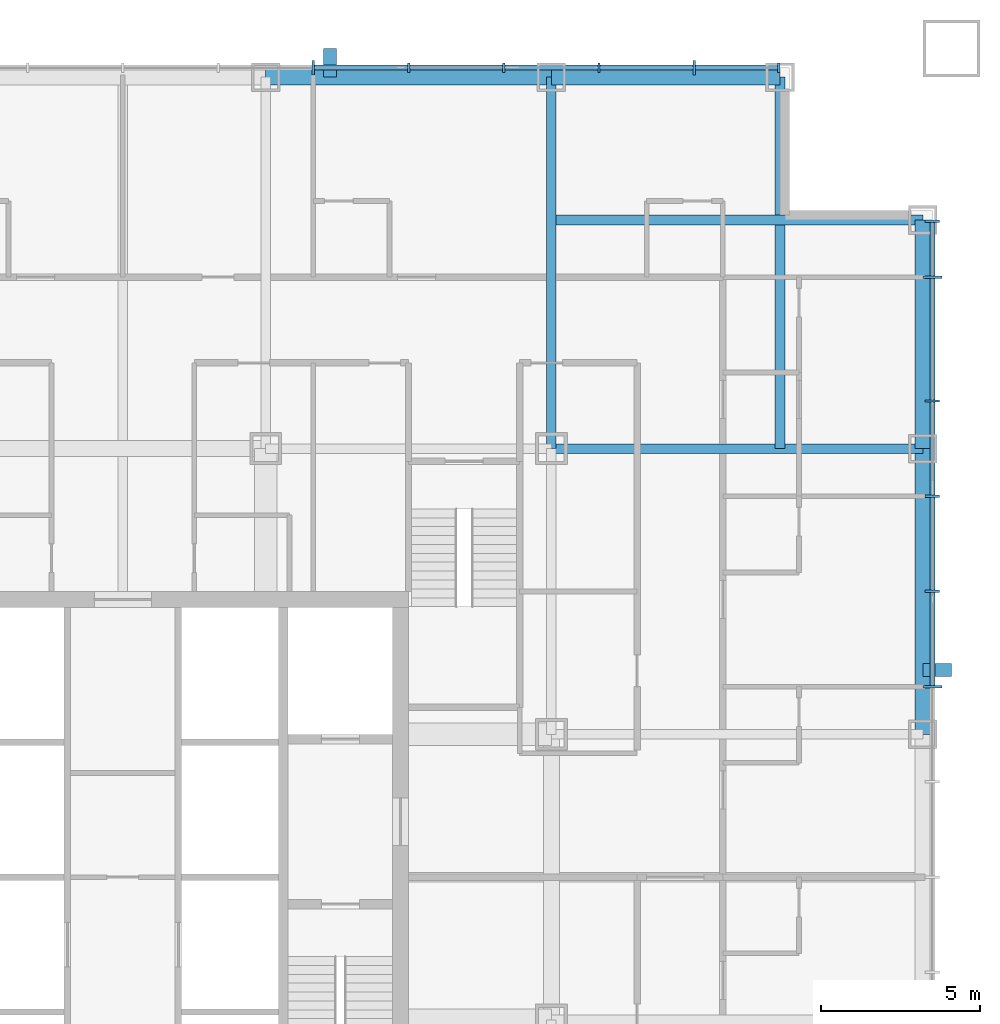
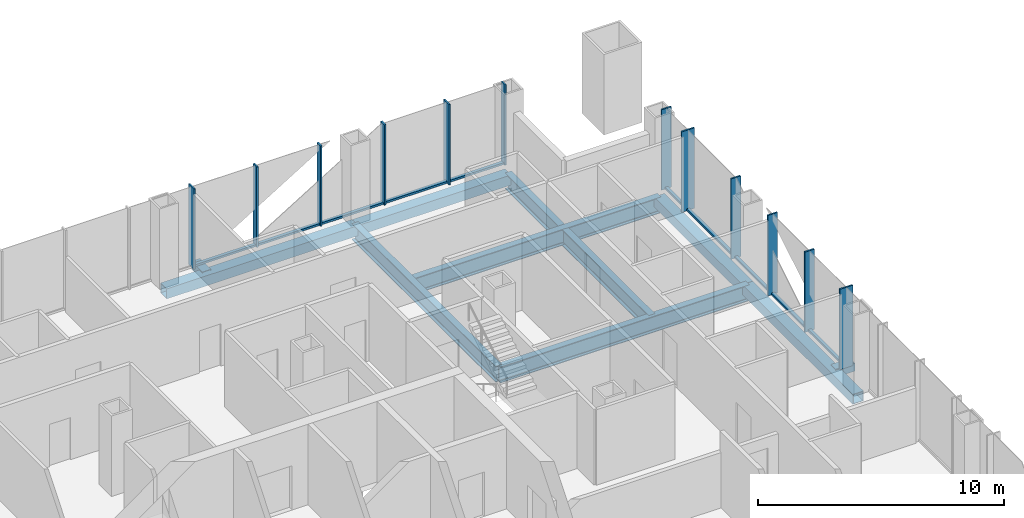
# One storey, part 5 of 17: 24 members, 8 beams, 2 elements without a shape of their own.
"""IFC4 building model written with IfcOpenShell, lengths in metres."""

import ifcopenshell
import ifcopenshell.guid

model = None  # the IFC model being written
_history = None  # IfcOwnerHistory: only IFC2X3 demands one
_inside = {}  # id of a spatial element -> (the spatial element, [elements in it])
_under = {}  # id of a project, library or spatial element -> (it, [spatial elements below it])
_declared = {}  # id of a project -> (the project, [libraries it declares])
_typed = {}  # id of a type object -> (the type object, [elements of that type])
_made_of = {}  # id of a material, layer set ... -> (it, [elements and type objects made of it])


def new_model(schema):
    """Start an empty IFC model of exactly this schema.

    Asked for "IFC4X3", IfcOpenShell would pick the latest addendum, in which some entities
    have other attributes; the version numbers below select the first issue.
    IFC2X3 requires an IfcOwnerHistory on every rooted entity: one is made here for all.
    """
    global model, _history
    if schema == "IFC4X3":
        model = ifcopenshell.file(schema_version=(4, 3, 0, 0))
    else:
        model = ifcopenshell.file(schema=schema)
    _inside.clear()
    _under.clear()
    _declared.clear()
    _typed.clear()
    _made_of.clear()
    _history = None
    if model.schema == "IFC2X3":
        org = make("IfcOrganization", Name="unknown")
        user = make(
            "IfcPersonAndOrganization",
            ThePerson=make("IfcPerson", FamilyName="unknown"),
            TheOrganization=org,
        )
        app = make(
            "IfcApplication",
            ApplicationDeveloper=org,
            Version="unknown",
            ApplicationFullName="unknown",
            ApplicationIdentifier="unknown",
        )
        _history = make(
            "IfcOwnerHistory",
            OwningUser=user,
            OwningApplication=app,
            ChangeAction="ADDED",
            CreationDate=0,
        )
    return model


def make(cls, **values):
    """One entity of the class cls with the attributes given. An attribute that is None is left unset."""
    return model.create_entity(
        cls, **{name: value for name, value in values.items() if value is not None}
    )


def rooted(cls, **values):
    """An entity with a GlobalId (a new one), such as an element, a storey or a relation."""
    return make(cls, GlobalId=ifcopenshell.guid.new(), OwnerHistory=_history, **values)


def si_unit(unit_type, name, prefix=None):
    """IfcSIUnit, for example si_unit("LENGTHUNIT", "METRE", prefix="MILLI")."""
    return make("IfcSIUnit", UnitType=unit_type, Prefix=prefix, Name=name)


def assignment(units):
    """IfcUnitAssignment: the units of a project."""
    return None if units is None else make("IfcUnitAssignment", Units=units)


def point(xyz):
    """IfcCartesianPoint."""
    return None if xyz is None else make("IfcCartesianPoint", Coordinates=xyz)


def direction(xyz):
    """IfcDirection."""
    return None if xyz is None else make("IfcDirection", DirectionRatios=xyz)


def frame(location, z_axis=None, x_axis=None):
    """IfcAxis2Placement3D, a coordinate frame: its origin and axes. An axis left out is left unset."""
    return make(
        "IfcAxis2Placement3D",
        Location=point(location),
        Axis=direction(z_axis),
        RefDirection=direction(x_axis),
    )


def frame_2d(location, x_axis=None):
    """IfcAxis2Placement2D, a coordinate frame in the plane: its origin and x axis."""
    return make(
        "IfcAxis2Placement2D", Location=point(location), RefDirection=direction(x_axis)
    )


def origin():
    """The frame at (0, 0, 0) with its axes left unset."""
    return frame((0.0, 0.0, 0.0))


def origin_2d():
    """The frame at (0, 0) in the plane with its x axis left unset."""
    return frame_2d((0.0, 0.0))


def place(relative_to, where):
    """IfcLocalPlacement: puts the frame where relative to a parent placement (None: the world)."""
    return make(
        "IfcLocalPlacement", PlacementRelTo=relative_to, RelativePlacement=where
    )


def context(
    kind, dimensions, precision=None, world=None, true_north=None, identifier=None
):
    """IfcGeometricRepresentationContext, for example the 3D "Model" context."""
    return make(
        "IfcGeometricRepresentationContext",
        ContextIdentifier=identifier,
        ContextType=kind,
        CoordinateSpaceDimension=dimensions,
        Precision=precision,
        WorldCoordinateSystem=world,
        TrueNorth=true_north,
    )


def subcontext(parent, identifier, kind, view, scale=None):
    """IfcGeometricRepresentationSubContext, for example "Body" below "Model"."""
    return make(
        "IfcGeometricRepresentationSubContext",
        ContextIdentifier=identifier,
        ContextType=kind,
        ParentContext=parent,
        TargetScale=scale,
        TargetView=view,
    )


def project(units=None, contexts=None):
    """IfcProject with its units and contexts."""
    return rooted(
        "IfcProject",
        Name="project",
        RepresentationContexts=contexts,
        UnitsInContext=assignment(units),
    )


def spatial(cls, under=None, at=None, **own):
    """A site, building, storey or space (cls), placed at a placement, below another one or the project."""
    s = rooted(cls, ObjectPlacement=at, **own)
    if under is not None:
        _under.setdefault(under.id(), (under, []))[1].append(s)
    return s


def profile(cls, at=None, kind="AREA", **sizes):
    """A parametric profile (cls). Its sizes go by their IFC names, for example OverallWidth=200.0."""
    return make(cls, ProfileType=kind, Position=at, **sizes)


def rectangle(**sizes):
    """IfcRectangleProfileDef."""
    return profile("IfcRectangleProfileDef", **sizes)


def hollow_rectangle(**sizes):
    """IfcRectangleHollowProfileDef."""
    return profile("IfcRectangleHollowProfileDef", **sizes)


def i_section(**sizes):
    """IfcIShapeProfileDef."""
    return profile("IfcIShapeProfileDef", **sizes)


def extrude(swept, where, along, depth):
    """IfcExtrudedAreaSolid: the profile swept, set in the frame where, extruded along a direction by depth."""
    return make(
        "IfcExtrudedAreaSolid",
        SweptArea=swept,
        Position=where,
        ExtrudedDirection=direction(along),
        Depth=depth,
    )


def shape(context_of_items, identifier, shape_type, items):
    """IfcShapeRepresentation: the items that make up one representation, for example the "Body"."""
    return make(
        "IfcShapeRepresentation",
        ContextOfItems=context_of_items,
        RepresentationIdentifier=identifier,
        RepresentationType=shape_type,
        Items=items,
    )


def material(Name=None, Category=None):
    """IfcMaterial."""
    return make("IfcMaterial", Name=Name, Category=Category)


def layer(
    of_material, thickness, ventilated=None, Name=None, Category=None, Priority=None
):
    """IfcMaterialLayer: one layer of a wall or slab, of a material (None: an air gap)."""
    return make(
        "IfcMaterialLayer",
        Material=of_material,
        LayerThickness=thickness,
        IsVentilated=ventilated,
        Name=Name,
        Category=Category,
        Priority=Priority,
    )


def layer_set(layers, Name=None):
    """IfcMaterialLayerSet."""
    return make("IfcMaterialLayerSet", MaterialLayers=layers, LayerSetName=Name)


def material_profile(
    of_material, cross_section, Name=None, Category=None, Priority=None
):
    """IfcMaterialProfile: a cross section and its material."""
    return make(
        "IfcMaterialProfile",
        Name=Name,
        Material=of_material,
        Profile=cross_section,
        Priority=Priority,
        Category=Category,
    )


def profile_set(profiles, Name=None, composite=None):
    """IfcMaterialProfileSet."""
    return make(
        "IfcMaterialProfileSet",
        Name=Name,
        MaterialProfiles=profiles,
        CompositeProfile=composite,
    )


def made_of(thing, what):
    """Note that an element or type object is made of a material, layer set ...; save() writes the relation."""
    if what is not None:
        _made_of.setdefault(what.id(), (what, []))[1].append(thing)
    return thing


def type_object(cls, material=None, **own):
    """A type object (cls), such as IfcWallType, which elements share."""
    return made_of(rooted(cls, **own), material)


def element(
    cls,
    number,
    at=None,
    inside=None,
    cuts=None,
    type_object=None,
    material=None,
    context=None,
    identifier="Body",
    shape_type=None,
    held_by="IfcProductDefinitionShape",
    body=None,
    shapes=None,
    **own,
):
    """One element of the class cls, such as IfcWall. Its Tag is "e" and its number.

    at: its placement. inside: the storey or other place that contains it. cuts: it is an
    opening in that element (IfcRelVoidsElement). A single representation is given by context,
    identifier, shape_type and body (its items); several are given by shapes. held_by: the class
    of the entity that holds the representations. save() writes the other relations.
    """
    e = rooted(cls, Tag="e%d" % number, ObjectPlacement=at, **own)
    if body is not None:
        shapes = [shape(context, identifier, shape_type, body)]
    if shapes is not None:
        e.Representation = make(held_by, Representations=shapes)
    if inside is not None:
        _inside.setdefault(inside.id(), (inside, []))[1].append(e)
    if cuts is not None:
        rooted(
            "IfcRelVoidsElement", RelatingBuildingElement=cuts, RelatedOpeningElement=e
        )
    if type_object is not None:
        _typed.setdefault(type_object.id(), (type_object, []))[1].append(e)
    return made_of(e, material)


def aggregate(whole, parts):
    """IfcRelAggregates: a whole, such as a stair, and the parts it consists of."""
    return rooted("IfcRelAggregates", RelatingObject=whole, RelatedObjects=parts)


def save(model, path):
    """Write the relations noted so far, then the file.

    IfcRelAggregates (storeys below a building ...), IfcRelContainedInSpatialStructure (elements
    in a storey), IfcRelDefinesByType, IfcRelAssociatesMaterial and IfcRelDeclares: one each for
    every whole, place, type object, material and project.
    """
    for whole, parts in _under.values():
        aggregate(whole, parts)
    for where, things in _inside.values():
        rooted(
            "IfcRelContainedInSpatialStructure",
            RelatedElements=things,
            RelatingStructure=where,
        )
    for kind, things in _typed.values():
        rooted("IfcRelDefinesByType", RelatedObjects=things, RelatingType=kind)
    for what, things in _made_of.values():
        rooted("IfcRelAssociatesMaterial", RelatedObjects=things, RelatingMaterial=what)
    for by, libraries in _declared.values():
        rooted("IfcRelDeclares", RelatingContext=by, RelatedDefinitions=libraries)
    model.write(path)


model = new_model("IFC4")

# Units and contexts
model_context = context("Model", 3, precision=1e-05, world=origin(), true_north=direction((0.0, 1.0)))
body_context = subcontext(model_context, "Body", "Model", "MODEL_VIEW")
ifc_project = project(units=[si_unit("LENGTHUNIT", "METRE"), si_unit("AREAUNIT", "SQUARE_METRE"), si_unit("VOLUMEUNIT", "CUBIC_METRE"), si_unit("PLANEANGLEUNIT", "RADIAN"), si_unit("MASSUNIT", "GRAM", prefix="KILO")], contexts=[model_context])

# Site, building, storey
site_placement = place(None, origin())
site = spatial("IfcSite", under=ifc_project, at=site_placement, CompositionType="ELEMENT")
building_placement = place(site_placement, origin())
building = spatial("IfcBuilding", under=site, at=building_placement, Name="Malebo Sky Hospital", CompositionType="ELEMENT")
storey_placement = place(building_placement, frame((0.0, 0.0, 51.0)))
storey = spatial("IfcBuildingStorey", under=building, at=storey_placement, Name="L11", CompositionType="ELEMENT", Elevation=51.0)

# Curtain wall, members
ifc_material_1 = material(Name="Anodised aluminium, natural silver", Category="aluminium")
ifc_layer_1 = layer(ifc_material_1, 0.25)
ifc_layer_set_1 = layer_set([ifc_layer_1], Name="WARD CURTAIN WALL NORTH AND SOUTH")
curtain_wall_type_1 = type_object("IfcCurtainWallType", Name="WARD CURTAIN WALL NORTH AND SOUTH", PredefinedType="NOTDEFINED", material=ifc_layer_set_1)
curtain_wall_1_placement = place(storey_placement, origin())
curtain_wall_1 = element("IfcCurtainWall", 1, at=curtain_wall_1_placement, inside=storey, type_object=curtain_wall_type_1, Name="NS curtain wall N", PredefinedType="NOTDEFINED")
ifc_material_profile_1 = material_profile(ifc_material_1, rectangle(XDim=0.14990234375, YDim=0.10009765625, at=origin_2d()), Name="ALUMINIUM TRANSOM 150x100")
ifc_profile_set_1 = profile_set([ifc_material_profile_1], Name="Anodised aluminium, natural silver")
member_type_1 = type_object("IfcMemberType", Name="ALUMINIUM TRANSOM 150x100", PredefinedType="USERDEFINED", material=ifc_profile_set_1)
member_1_placement = place(storey_placement, frame((66.03759765625, 87.5, 0.050048828125), z_axis=(1.0, 0.0, 0.0), x_axis=(0.0, 1.0, 0.0)))
member_1 = element("IfcMember", 2, at=member_1_placement, type_object=member_type_1, Name="Transom 10", ObjectType="TRANSOM", PredefinedType="USERDEFINED", context=body_context, shape_type="SweptSolid", body=[
    extrude(rectangle(XDim=0.14990234375, YDim=0.10009765625, at=origin_2d()), origin(), (0.0, 0.0, 1.0), 2.9248046875),
])
member_2_placement = place(storey_placement, frame((69.03759765625, 87.5, 0.050048828125), z_axis=(1.0, 0.0, 0.0), x_axis=(0.0, 1.0, 0.0)))
member_2 = element("IfcMember", 3, at=member_2_placement, type_object=member_type_1, Name="Transom 11", ObjectType="TRANSOM", PredefinedType="USERDEFINED", context=body_context, shape_type="SweptSolid", body=[
    extrude(rectangle(XDim=0.14990234375, YDim=0.10009765625, at=origin_2d()), origin(), (0.0, 0.0, 1.0), 2.9248046875),
])
member_3_placement = place(storey_placement, frame((72.03759765625, 87.5, 0.050048828125), z_axis=(1.0, 0.0, 0.0), x_axis=(0.0, 1.0, 0.0)))
member_3 = element("IfcMember", 4, at=member_3_placement, type_object=member_type_1, Name="Transom 12", ObjectType="TRANSOM", PredefinedType="USERDEFINED", context=body_context, shape_type="SweptSolid", body=[
    extrude(rectangle(XDim=0.14990234375, YDim=0.10009765625, at=origin_2d()), origin(), (0.0, 0.0, 1.0), 2.9248046875),
])
member_4_placement = place(storey_placement, frame((75.03759765625, 87.5, 0.050048828125), z_axis=(1.0, 0.0, 0.0), x_axis=(0.0, 1.0, 0.0)))
member_4 = element("IfcMember", 5, at=member_4_placement, type_object=member_type_1, Name="Transom 13", ObjectType="TRANSOM", PredefinedType="USERDEFINED", context=body_context, shape_type="SweptSolid", body=[
    extrude(rectangle(XDim=0.14990234375, YDim=0.10009765625, at=origin_2d()), origin(), (0.0, 0.0, 1.0), 2.9248046875),
])
member_5_placement = place(storey_placement, frame((78.03759765625, 87.5, 0.050048828125), z_axis=(1.0, 0.0, 0.0), x_axis=(0.0, 1.0, 0.0)))
member_5 = element("IfcMember", 6, at=member_5_placement, type_object=member_type_1, Name="Transom 14", ObjectType="TRANSOM", PredefinedType="USERDEFINED", context=body_context, shape_type="SweptSolid", body=[
    extrude(rectangle(XDim=0.14990234375, YDim=0.10009765625, at=origin_2d()), origin(), (0.0, 0.0, 1.0), 2.58740234375),
])

ifc_layer_2 = layer(ifc_material_1, 0.25)
ifc_layer_set_2 = layer_set([ifc_layer_2], Name="WARD CURTAIN WALL EAST AND WEST")
curtain_wall_type_2 = type_object("IfcCurtainWallType", Name="WARD CURTAIN WALL EAST AND WEST", PredefinedType="NOTDEFINED", material=ifc_layer_set_2)
curtain_wall_2_placement = place(storey_placement, origin())
curtain_wall_2 = element("IfcCurtainWall", 7, at=curtain_wall_2_placement, inside=storey, type_object=curtain_wall_type_2, Name="EW curtain wall E", PredefinedType="NOTDEFINED")
member_6_placement = place(storey_placement, frame((85.5, 82.625, 0.050048828125), z_axis=(0.0, -1.0, 0.0), x_axis=(1.0, 0.0, 0.0)))
member_6 = element("IfcMember", 8, at=member_6_placement, type_object=member_type_1, Name="Transom 1", ObjectType="TRANSOM", PredefinedType="USERDEFINED", context=body_context, shape_type="SweptSolid", body=[
    extrude(rectangle(XDim=0.14990234375, YDim=0.10009765625, at=origin_2d()), origin(), (0.0, 0.0, 1.0), 1.6875),
])
member_7_placement = place(storey_placement, frame((85.5, 80.862548828125, 0.050048828125), z_axis=(0.0, -1.0, 0.0), x_axis=(1.0, 0.0, 0.0)))
member_7 = element("IfcMember", 9, at=member_7_placement, type_object=member_type_1, Name="Transom 2", ObjectType="TRANSOM", PredefinedType="USERDEFINED", context=body_context, shape_type="SweptSolid", body=[
    extrude(rectangle(XDim=0.14990234375, YDim=0.10009765625, at=origin_2d()), origin(), (0.0, 0.0, 1.0), 3.824951171875),
])
member_8_placement = place(storey_placement, frame((85.5, 76.96240234375, 0.050048828125), z_axis=(0.0, -1.0, 0.0), x_axis=(1.0, 0.0, 0.0)))
member_8 = element("IfcMember", 10, at=member_8_placement, type_object=member_type_1, Name="Transom 3", ObjectType="TRANSOM", PredefinedType="USERDEFINED", context=body_context, shape_type="SweptSolid", body=[
    extrude(rectangle(XDim=0.14990234375, YDim=0.10009765625, at=origin_2d()), origin(), (0.0, 0.0, 1.0), 2.9248046875),
])
member_9_placement = place(storey_placement, frame((85.5, 73.96240234375, 0.050048828125), z_axis=(0.0, -1.0, 0.0), x_axis=(1.0, 0.0, 0.0)))
member_9 = element("IfcMember", 11, at=member_9_placement, type_object=member_type_1, Name="Transom 4", ObjectType="TRANSOM", PredefinedType="USERDEFINED", context=body_context, shape_type="SweptSolid", body=[
    extrude(rectangle(XDim=0.14990234375, YDim=0.10009765625, at=origin_2d()), origin(), (0.0, 0.0, 1.0), 2.9248046875),
])
member_10_placement = place(storey_placement, frame((85.5, 70.96240234375, 0.050048828125), z_axis=(0.0, -1.0, 0.0), x_axis=(1.0, 0.0, 0.0)))
member_10 = element("IfcMember", 12, at=member_10_placement, type_object=member_type_1, Name="Transom 5", ObjectType="TRANSOM", PredefinedType="USERDEFINED", context=body_context, shape_type="SweptSolid", body=[
    extrude(rectangle(XDim=0.14990234375, YDim=0.10009765625, at=origin_2d()), origin(), (0.0, 0.0, 1.0), 2.9248046875),
])

# Members
ifc_material_2 = material(Name="Steel S355", Category="steel")
ifc_material_profile_2 = material_profile(ifc_material_2, hollow_rectangle(XDim=0.39990234375, YDim=0.39990234375, WallThickness=0.02001953125, at=origin_2d()), Name="SHS 400x20")
ifc_profile_set_2 = profile_set([ifc_material_profile_2], Name="Steel S355")
member_type_2 = type_object("IfcMemberType", Name="BRACE STRUT SHS 400x20", PredefinedType="STRUT", material=ifc_profile_set_2)
for number, where, z_axis, x_axis, name in (
    (13, (66.52490234375, 88.10009765625, -0.39990234375), (0.0, -1.0, 0.0), (1.0, 0.0, 0.0), "Brace strut AN2 L11"),
    (14, (86.10009765625, 68.52490234375, -0.39990234375), (-1.0, 0.0, 0.0), (0.0, -1.0, 0.0), "Brace strut AE1 L11"),
):
    element("IfcMember", number, at=place(storey_placement, frame(where, z_axis=z_axis, x_axis=x_axis)), inside=storey, type_object=member_type_2, Name=name, PredefinedType="STRUT", context=body_context, shape_type="SweptSolid", body=[
        extrude(hollow_rectangle(XDim=0.39990234375, YDim=0.39990234375, WallThickness=0.02001953125, at=origin_2d()), origin(), (0.0, 0.0, 1.0), 0.900146484375),
    ])

# Member
ifc_material_profile_3 = material_profile(ifc_material_1, rectangle(XDim=0.074951171875, YDim=0.300048828125, at=origin_2d()), Name="CW1 ALUMINIUM FIN MULLION 75x300")
ifc_profile_set_3 = profile_set([ifc_material_profile_3], Name="Anodised aluminium, natural silver")
member_type_3 = type_object("IfcMemberType", Name="CW1 ALUMINIUM FIN MULLION 75x300", PredefinedType="MULLION", material=ifc_profile_set_3)
member_11_placement = place(storey_placement, frame((69.0, 87.5, 0.0), z_axis=(0.0, 0.0, 1.0), x_axis=(1.0, 0.0, 0.0)))
member_11 = element("IfcMember", 15, at=member_11_placement, type_object=member_type_3, Name="Fin mullion 11", PredefinedType="MULLION", context=body_context, shape_type="SweptSolid", body=[
    extrude(rectangle(XDim=0.074951171875, YDim=0.300048828125, at=origin_2d()), origin(), (0.0, 0.0, 1.0), 4.0),
])

member_12_placement = place(storey_placement, frame((72.0, 87.5, 0.0), z_axis=(0.0, 0.0, 1.0), x_axis=(1.0, 0.0, 0.0)))
member_12 = element("IfcMember", 16, at=member_12_placement, type_object=member_type_3, Name="Fin mullion 12", PredefinedType="MULLION", context=body_context, shape_type="SweptSolid", body=[
    extrude(rectangle(XDim=0.074951171875, YDim=0.300048828125, at=origin_2d()), origin(), (0.0, 0.0, 1.0), 4.0),
])

member_13_placement = place(storey_placement, frame((75.0, 87.5, 0.0), z_axis=(0.0, 0.0, 1.0), x_axis=(1.0, 0.0, 0.0)))
member_13 = element("IfcMember", 17, at=member_13_placement, type_object=member_type_3, Name="Fin mullion 13", PredefinedType="MULLION", context=body_context, shape_type="SweptSolid", body=[
    extrude(rectangle(XDim=0.074951171875, YDim=0.300048828125, at=origin_2d()), origin(), (0.0, 0.0, 1.0), 4.0),
])

member_14_placement = place(storey_placement, frame((80.66259765625, 87.5, 0.0), z_axis=(0.0, 0.0, 1.0), x_axis=(1.0, 0.0, 0.0)))
member_14 = element("IfcMember", 18, at=member_14_placement, type_object=member_type_3, Name="Fin mullion 15", PredefinedType="MULLION", context=body_context, shape_type="SweptSolid", body=[
    extrude(rectangle(XDim=0.074951171875, YDim=0.300048828125, at=origin_2d()), origin(), (0.0, 0.0, 1.0), 4.0),
])

ifc_material_profile_4 = material_profile(ifc_material_1, rectangle(XDim=0.074951171875, YDim=0.449951171875, at=origin_2d()), Name="CW1 ALUMINIUM FIN MULLION 75x450")
ifc_profile_set_4 = profile_set([ifc_material_profile_4], Name="Anodised aluminium, natural silver")
member_type_4 = type_object("IfcMemberType", Name="CW1 ALUMINIUM FIN MULLION 75x450", PredefinedType="MULLION", material=ifc_profile_set_4)
member_15_placement = place(storey_placement, frame((66.0, 87.5, 0.0), z_axis=(0.0, 0.0, 1.0), x_axis=(1.0, 0.0, 0.0)))
member_15 = element("IfcMember", 19, at=member_15_placement, type_object=member_type_4, Name="Fin mullion 10", PredefinedType="MULLION", context=body_context, shape_type="SweptSolid", body=[
    extrude(rectangle(XDim=0.074951171875, YDim=0.449951171875, at=origin_2d()), origin(), (0.0, 0.0, 1.0), 4.0),
])

member_16_placement = place(storey_placement, frame((78.0, 87.5, 0.0), z_axis=(0.0, 0.0, 1.0), x_axis=(1.0, 0.0, 0.0)))
member_16 = element("IfcMember", 20, at=member_16_placement, type_object=member_type_4, Name="Fin mullion 14", PredefinedType="MULLION", context=body_context, shape_type="SweptSolid", body=[
    extrude(rectangle(XDim=0.074951171875, YDim=0.449951171875, at=origin_2d()), origin(), (0.0, 0.0, 1.0), 4.0),
])

aggregate(curtain_wall_1, [member_15, member_11, member_12, member_13, member_16, member_14, member_1, member_2, member_3, member_4, member_5])

ifc_material_profile_5 = material_profile(ifc_material_1, rectangle(XDim=0.074951171875, YDim=0.449951171875, at=origin_2d()), Name="CW2 ALUMINIUM FIN MULLION 75x450")
ifc_profile_set_5 = profile_set([ifc_material_profile_5], Name="Anodised aluminium, natural silver")
member_type_5 = type_object("IfcMemberType", Name="CW2 ALUMINIUM FIN MULLION 75x450", PredefinedType="MULLION", material=ifc_profile_set_5)
member_17_placement = place(storey_placement, frame((85.5, 82.66259765625, 0.0), z_axis=(0.0, 0.0, 1.0), x_axis=(0.0, -1.0, 0.0)))
member_17 = element("IfcMember", 21, at=member_17_placement, type_object=member_type_5, Name="Fin mullion 1", PredefinedType="MULLION", context=body_context, shape_type="SweptSolid", body=[
    extrude(rectangle(XDim=0.074951171875, YDim=0.449951171875, at=origin_2d()), origin(), (0.0, 0.0, 1.0), 4.0),
])

member_18_placement = place(storey_placement, frame((85.5, 77.0, 0.0), z_axis=(0.0, 0.0, 1.0), x_axis=(0.0, -1.0, 0.0)))
member_18 = element("IfcMember", 22, at=member_18_placement, type_object=member_type_5, Name="Fin mullion 3", PredefinedType="MULLION", context=body_context, shape_type="SweptSolid", body=[
    extrude(rectangle(XDim=0.074951171875, YDim=0.449951171875, at=origin_2d()), origin(), (0.0, 0.0, 1.0), 4.0),
])

member_19_placement = place(storey_placement, frame((85.5, 74.0, 0.0), z_axis=(0.0, 0.0, 1.0), x_axis=(0.0, -1.0, 0.0)))
member_19 = element("IfcMember", 23, at=member_19_placement, type_object=member_type_5, Name="Fin mullion 4", PredefinedType="MULLION", context=body_context, shape_type="SweptSolid", body=[
    extrude(rectangle(XDim=0.074951171875, YDim=0.449951171875, at=origin_2d()), origin(), (0.0, 0.0, 1.0), 4.0),
])

member_20_placement = place(storey_placement, frame((85.5, 71.0, 0.0), z_axis=(0.0, 0.0, 1.0), x_axis=(0.0, -1.0, 0.0)))
member_20 = element("IfcMember", 24, at=member_20_placement, type_object=member_type_5, Name="Fin mullion 5", PredefinedType="MULLION", context=body_context, shape_type="SweptSolid", body=[
    extrude(rectangle(XDim=0.074951171875, YDim=0.449951171875, at=origin_2d()), origin(), (0.0, 0.0, 1.0), 4.0),
])

ifc_material_profile_6 = material_profile(ifc_material_1, rectangle(XDim=0.074951171875, YDim=0.60009765625, at=origin_2d()), Name="CW2 ALUMINIUM FIN MULLION 75x600")
ifc_profile_set_6 = profile_set([ifc_material_profile_6], Name="Anodised aluminium, natural silver")
member_type_6 = type_object("IfcMemberType", Name="CW2 ALUMINIUM FIN MULLION 75x600", PredefinedType="MULLION", material=ifc_profile_set_6)
member_21_placement = place(storey_placement, frame((85.5, 80.89990234375, 0.0), z_axis=(0.0, 0.0, 1.0), x_axis=(0.0, -1.0, 0.0)))
member_21 = element("IfcMember", 25, at=member_21_placement, type_object=member_type_6, Name="Fin mullion 2", PredefinedType="MULLION", context=body_context, shape_type="SweptSolid", body=[
    extrude(rectangle(XDim=0.074951171875, YDim=0.60009765625, at=origin_2d()), origin(), (0.0, 0.0, 1.0), 4.0),
])

member_22_placement = place(storey_placement, frame((85.5, 68.0, 0.0), z_axis=(0.0, 0.0, 1.0), x_axis=(0.0, -1.0, 0.0)))
member_22 = element("IfcMember", 26, at=member_22_placement, type_object=member_type_6, Name="Fin mullion 6", PredefinedType="MULLION", context=body_context, shape_type="SweptSolid", body=[
    extrude(rectangle(XDim=0.074951171875, YDim=0.60009765625, at=origin_2d()), origin(), (0.0, 0.0, 1.0), 4.0),
])

aggregate(curtain_wall_2, [member_17, member_21, member_18, member_19, member_20, member_22, member_6, member_7, member_8, member_9, member_10])

# Beams
ifc_material_3 = material(Name="Steel S460", Category="steel")
ifc_material_profile_7 = material_profile(ifc_material_3, hollow_rectangle(XDim=0.5, YDim=0.5, WallThickness=0.030029296875, at=origin_2d()), Name="BOX 500x500x30")
ifc_profile_set_7 = profile_set([ifc_material_profile_7], Name="Steel S460")
beam_type_1 = type_object("IfcBeamType", Name="EDGE BEAM BOX 500x500x30", PredefinedType="BEAM", material=ifc_profile_set_7)
beam_1_placement = place(storey_placement, frame((85.199951171875, 66.5, -0.5), z_axis=(0.0, 1.0, 0.0), x_axis=(-1.0, 0.0, 0.0)))
element("IfcBeam", 27, at=beam_1_placement, inside=storey, type_object=beam_type_1, Name="Beam 032 L11", PredefinedType="BEAM", context=body_context, shape_type="SweptSolid", body=[
    extrude(hollow_rectangle(XDim=0.5, YDim=0.5, WallThickness=0.030029296875, at=origin_2d()), origin(), (0.0, 0.0, 1.0), 9.0),
])
beam_2_placement = place(storey_placement, frame((85.199951171875, 75.5, -0.5), z_axis=(0.0, 1.0, 0.0), x_axis=(-1.0, 0.0, 0.0)))
element("IfcBeam", 28, at=beam_2_placement, inside=storey, type_object=beam_type_1, Name="Beam 033 L11", PredefinedType="BEAM", context=body_context, shape_type="SweptSolid", body=[
    extrude(hollow_rectangle(XDim=0.5, YDim=0.5, WallThickness=0.030029296875, at=origin_2d()), origin(), (0.0, 0.0, 1.0), 7.199951171875),
])
beam_3_placement = place(storey_placement, frame((64.5, 87.199951171875, -0.5), z_axis=(1.0, 0.0, 0.0), x_axis=(0.0, 1.0, 0.0)))
element("IfcBeam", 29, at=beam_3_placement, inside=storey, type_object=beam_type_1, Name="Beam 066 L11", PredefinedType="BEAM", context=body_context, shape_type="SweptSolid", body=[
    extrude(hollow_rectangle(XDim=0.5, YDim=0.5, WallThickness=0.030029296875, at=origin_2d()), origin(), (0.0, 0.0, 1.0), 9.0),
])
beam_4_placement = place(storey_placement, frame((73.5, 87.199951171875, -0.5), z_axis=(1.0, 0.0, 0.0), x_axis=(0.0, 1.0, 0.0)))
element("IfcBeam", 30, at=beam_4_placement, inside=storey, type_object=beam_type_1, Name="Beam 067 L11", PredefinedType="BEAM", context=body_context, shape_type="SweptSolid", body=[
    extrude(hollow_rectangle(XDim=0.5, YDim=0.5, WallThickness=0.030029296875, at=origin_2d()), origin(), (0.0, 0.0, 1.0), 7.199951171875),
])
ifc_material_profile_8 = material_profile(ifc_material_2, i_section(OverallWidth=0.300048828125, OverallDepth=0.800048828125, WebThickness=0.017578125, FlangeThickness=0.032958984375, FilletRadius=0.030029296875, at=origin_2d()), Name="HEB 800")
ifc_profile_set_8 = profile_set([ifc_material_profile_8], Name="Steel S355")
beam_type_2 = type_object("IfcBeamType", Name="FLOOR BEAM HEB 800", PredefinedType="BEAM", material=ifc_profile_set_8)
for number, where, z_axis, x_axis, name in (
    (31, (80.699951171875, 75.5, -0.64990234375), (0.0, 1.0, 0.0), (-1.0, 0.0, 0.0), "Beam 028 L11"),
    (32, (73.5, 82.699951171875, -0.64990234375), (1.0, 0.0, 0.0), (0.0, 1.0, 0.0), "Beam 062 L11"),
):
    element("IfcBeam", number, at=place(storey_placement, frame(where, z_axis=z_axis, x_axis=x_axis)), inside=storey, type_object=beam_type_2, Name=name, PredefinedType="BEAM", context=body_context, shape_type="SweptSolid", body=[
        extrude(i_section(OverallWidth=0.300048828125, OverallDepth=0.800048828125, WebThickness=0.017578125, FlangeThickness=0.032958984375, FilletRadius=0.030029296875, at=origin_2d()), origin(), (0.0, 0.0, 1.0), 11.699951171875),
    ])
ifc_material_profile_9 = material_profile(ifc_material_2, i_section(OverallWidth=0.300048828125, OverallDepth=0.800048828125, WebThickness=0.017578125, FlangeThickness=0.032958984375, FilletRadius=0.030029296875, at=origin_2d()), Name="HEB 800")
ifc_profile_set_9 = profile_set([ifc_material_profile_9], Name="Steel S355")
beam_type_3 = type_object("IfcBeamType", Name="FLOOR GIRDER HEB 800", PredefinedType="BEAM", material=ifc_profile_set_9)
for number, where, z_axis, x_axis, name in (
    (33, (73.5, 75.5, -0.64990234375), (0.0, 1.0, 0.0), (-1.0, 0.0, 0.0), "Beam 026 L11"),
    (34, (73.5, 75.5, -0.64990234375), (1.0, 0.0, 0.0), (0.0, 1.0, 0.0), "Beam 060 L11"),
):
    element("IfcBeam", number, at=place(storey_placement, frame(where, z_axis=z_axis, x_axis=x_axis)), inside=storey, type_object=beam_type_3, Name=name, PredefinedType="BEAM", context=body_context, shape_type="SweptSolid", body=[
        extrude(i_section(OverallWidth=0.300048828125, OverallDepth=0.800048828125, WebThickness=0.017578125, FlangeThickness=0.032958984375, FilletRadius=0.030029296875, at=origin_2d()), origin(), (0.0, 0.0, 1.0), 11.699951171875),
    ])

save(model, "model.ifc")
